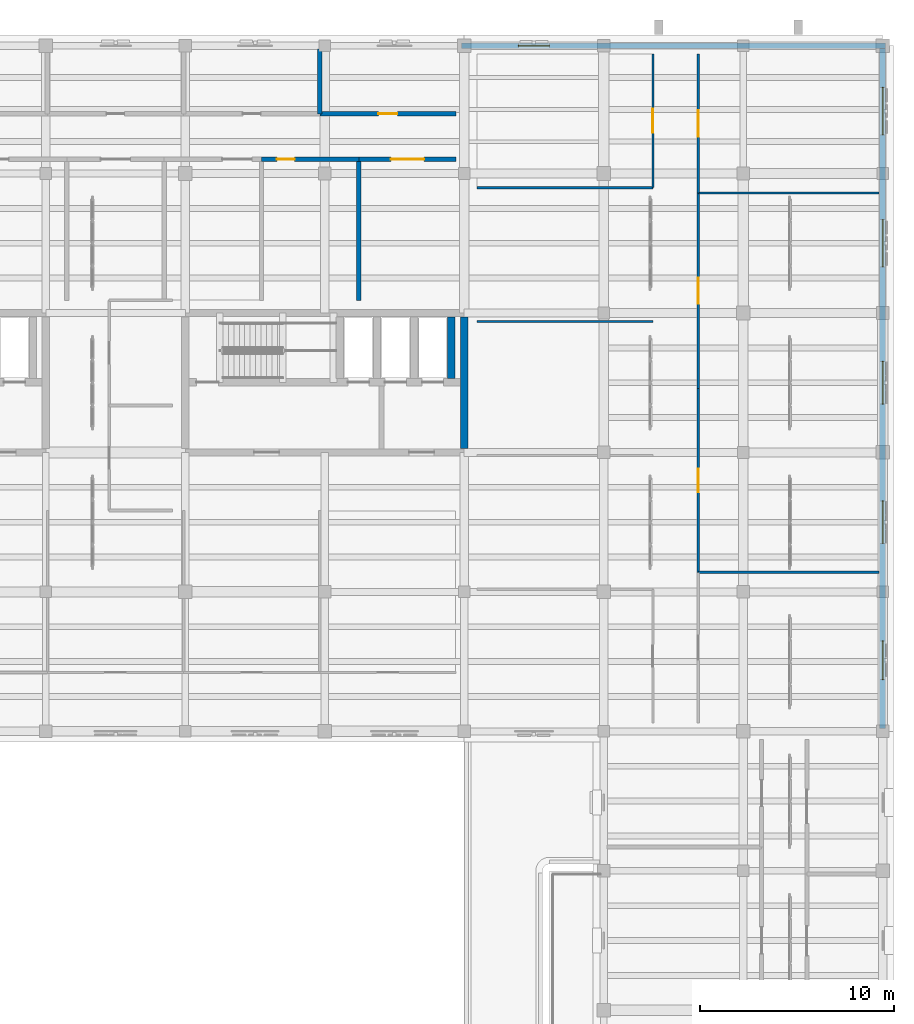
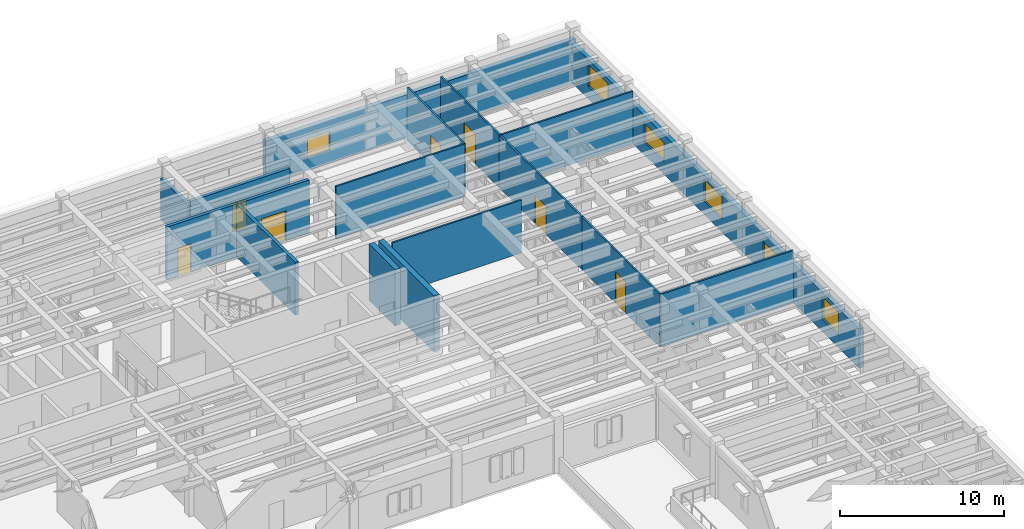
# One storey, part 29 of 40: 17 walls, 7 doors, 6 windows, 13 openings.
"""IFC4 building model written with IfcOpenShell, lengths in metres."""

from ifc_helpers import new_model, si_unit, direction, frame, frame_2d, origin, place, context, subcontext, project, spatial, rectangle, extrude, material, layer, layer_set, type_object, element, fill, save


model = new_model("IFC4")

# Units and contexts
model_context = context("Model", 3, precision=1e-05, world=origin(), true_north=direction((0.0, 1.0)))
body_context = subcontext(model_context, "Body", "Model", "MODEL_VIEW")
ifc_project = project(units=[si_unit("LENGTHUNIT", "METRE"), si_unit("AREAUNIT", "SQUARE_METRE"), si_unit("VOLUMEUNIT", "CUBIC_METRE"), si_unit("PLANEANGLEUNIT", "RADIAN"), si_unit("MASSUNIT", "GRAM", prefix="KILO")], contexts=[model_context])

# Site, building, storey
site_placement = place(None, origin())
site = spatial("IfcSite", under=ifc_project, at=site_placement, CompositionType="ELEMENT")
building_placement = place(site_placement, origin())
building = spatial("IfcBuilding", under=site, at=building_placement, Name="Mithqara Police Headquarters", CompositionType="ELEMENT")
storey_placement = place(building_placement, frame((0.0, 0.0, 13.800048828125)))
storey = spatial("IfcBuildingStorey", under=building, at=storey_placement, Name="L03", CompositionType="ELEMENT", Elevation=13.800048828125)

# Wall, openings, windows
ifc_material_1 = material(Name="Ochre masonry cavity wall, 35 MPa", Category="masonry")
ifc_layer_1 = layer(ifc_material_1, 0.300048828125, Name="Ochre masonry cavity wall, 35 MPa")
ifc_layer_set_1 = layer_set([ifc_layer_1], Name="Ochre masonry cavity wall, 35 MPa")
wall_type_1 = type_object("IfcWallType", Name="EXT WALL OCHRE BRICK300", PredefinedType="SOLIDWALL", material=ifc_layer_set_1)
wall_1_placement = place(storey_placement, frame((166.199951171875, 78.75, 0.0), z_axis=(0.0, 0.0, 1.0), x_axis=(0.0, 1.0, 0.0)))
wall_1 = element("IfcWall", 1, at=wall_1_placement, inside=storey, type_object=wall_type_1, Name="L03 Exterior Wall 11.1", PredefinedType="SOLIDWALL", context=body_context, shape_type="SweptSolid", body=[
    extrude(rectangle(XDim=35.10009765625, YDim=0.300048828125, at=frame_2d((17.550048828125, 0.0))), origin(), (0.0, 0.0, 1.0), 2.93994140625),
])
opening_1_placement = place(wall_1_placement, frame((2.52490234375, 0.0, 0.949951171875)))
opening_1 = element("IfcOpeningElement", 2, at=opening_1_placement, cuts=wall_1, Name="Opening W-37", PredefinedType="OPENING", context=body_context, shape_type="SweptSolid", body=[
    extrude(rectangle(XDim=2.0, YDim=1.64990234375, at=frame_2d((1.0, 0.824951171875))), frame((0.0, 0.16015625, 0.0), z_axis=(0.0, -1.0, 0.0), x_axis=(1.0, 0.0, 0.0)), (0.0, 0.0, 1.0), 0.320068359375),
])
opening_2_placement = place(wall_1_placement, frame((9.550048828125, 0.0, 0.949951171875)))
opening_2 = element("IfcOpeningElement", 3, at=opening_2_placement, cuts=wall_1, Name="Opening W-41", PredefinedType="OPENING", context=body_context, shape_type="SweptSolid", body=[
    extrude(rectangle(XDim=2.199951171875, YDim=1.39990234375, at=frame_2d((1.10009765625, 0.699951171875))), frame((0.0, 0.16015625, 0.0), z_axis=(0.0, -1.0, 0.0), x_axis=(1.0, 0.0, 0.0)), (0.0, 0.0, 1.0), 0.320068359375),
])
opening_3_placement = place(wall_1_placement, frame((16.75, 0.0, 0.949951171875)))
opening_3 = element("IfcOpeningElement", 4, at=opening_3_placement, cuts=wall_1, Name="Opening W-42", PredefinedType="OPENING", context=body_context, shape_type="SweptSolid", body=[
    extrude(rectangle(XDim=2.199951171875, YDim=1.64990234375, at=frame_2d((1.10009765625, 0.824951171875))), frame((0.0, 0.16015625, 0.0), z_axis=(0.0, -1.0, 0.0), x_axis=(1.0, 0.0, 0.0)), (0.0, 0.0, 1.0), 0.320068359375),
])
opening_4_placement = place(wall_1_placement, frame((23.824951171875, 0.0, 0.949951171875)))
opening_4 = element("IfcOpeningElement", 5, at=opening_4_placement, cuts=wall_1, Name="Opening W-46", PredefinedType="OPENING", context=body_context, shape_type="SweptSolid", body=[
    extrude(rectangle(XDim=2.449951171875, YDim=1.39990234375, at=frame_2d((1.22509765625, 0.699951171875))), frame((0.0, 0.16015625, 0.0), z_axis=(0.0, -1.0, 0.0), x_axis=(1.0, 0.0, 0.0)), (0.0, 0.0, 1.0), 0.320068359375),
])
opening_5_placement = place(wall_1_placement, frame((30.64990234375, 0.0, 0.949951171875)))
opening_5 = element("IfcOpeningElement", 6, at=opening_5_placement, cuts=wall_1, Name="Opening W-47", PredefinedType="OPENING", context=body_context, shape_type="SweptSolid", body=[
    extrude(rectangle(XDim=2.449951171875, YDim=1.64990234375, at=frame_2d((1.22509765625, 0.824951171875))), frame((0.0, 0.16015625, 0.0), z_axis=(0.0, -1.0, 0.0), x_axis=(1.0, 0.0, 0.0)), (0.0, 0.0, 1.0), 0.320068359375),
])
ifc_material_2 = material(Name="Spectrally selective double low-e glass", Category="glass")
window_type_1 = type_object("IfcWindowType", Name="WINDOW 2000X1650", PartitioningType="DOUBLE_PANEL_VERTICAL", PredefinedType="WINDOW", material=ifc_material_2)
window_1_placement = place(opening_1_placement, origin())
window_1 = element("IfcWindow", 7, at=window_1_placement, inside=storey, type_object=window_type_1, Name="L03 Command Block Screened Window 11.1", OverallHeight=1.64990234375, OverallWidth=2.0, PartitioningType="SINGLE_PANEL", PredefinedType="WINDOW", context=body_context, shape_type="SweptSolid", body=[
    extrude(rectangle(XDim=2.0, YDim=1.64990234375, at=frame_2d((1.0, 0.824951171875))), frame((0.0, 0.030029296875, 0.0), z_axis=(0.0, -1.0, 0.0), x_axis=(1.0, 0.0, 0.0)), (0.0, 0.0, 1.0), 0.06005859375),
])
fill(opening_1, window_1)
window_type_2 = type_object("IfcWindowType", Name="WINDOW 2200X1400", PartitioningType="DOUBLE_PANEL_VERTICAL", PredefinedType="WINDOW", material=ifc_material_2)
window_2_placement = place(opening_2_placement, origin())
window_2 = element("IfcWindow", 8, at=window_2_placement, inside=storey, type_object=window_type_2, Name="L03 Command Block Screened Window 11.2", OverallHeight=1.39990234375, OverallWidth=2.199951171875, PartitioningType="SINGLE_PANEL", PredefinedType="WINDOW", context=body_context, shape_type="SweptSolid", body=[
    extrude(rectangle(XDim=2.199951171875, YDim=1.39990234375, at=frame_2d((1.10009765625, 0.699951171875))), frame((0.0, 0.030029296875, 0.0), z_axis=(0.0, -1.0, 0.0), x_axis=(1.0, 0.0, 0.0)), (0.0, 0.0, 1.0), 0.06005859375),
])
fill(opening_2, window_2)
window_type_3 = type_object("IfcWindowType", Name="WINDOW 2200X1650", PartitioningType="DOUBLE_PANEL_VERTICAL", PredefinedType="WINDOW", material=ifc_material_2)
window_3_placement = place(opening_3_placement, origin())
window_3 = element("IfcWindow", 9, at=window_3_placement, inside=storey, type_object=window_type_3, Name="L03 Command Block Screened Window 11.3", OverallHeight=1.64990234375, OverallWidth=2.199951171875, PartitioningType="SINGLE_PANEL", PredefinedType="WINDOW", context=body_context, shape_type="SweptSolid", body=[
    extrude(rectangle(XDim=2.199951171875, YDim=1.64990234375, at=frame_2d((1.10009765625, 0.824951171875))), frame((0.0, 0.030029296875, 0.0), z_axis=(0.0, -1.0, 0.0), x_axis=(1.0, 0.0, 0.0)), (0.0, 0.0, 1.0), 0.06005859375),
])
fill(opening_3, window_3)
window_type_4 = type_object("IfcWindowType", Name="WINDOW 2450X1400", PartitioningType="DOUBLE_PANEL_VERTICAL", PredefinedType="WINDOW", material=ifc_material_2)
window_4_placement = place(opening_4_placement, origin())
window_4 = element("IfcWindow", 10, at=window_4_placement, inside=storey, type_object=window_type_4, Name="L03 Command Block Screened Window 11.4", OverallHeight=1.39990234375, OverallWidth=2.449951171875, PartitioningType="SINGLE_PANEL", PredefinedType="WINDOW", context=body_context, shape_type="SweptSolid", body=[
    extrude(rectangle(XDim=2.449951171875, YDim=1.39990234375, at=frame_2d((1.22509765625, 0.699951171875))), frame((0.0, 0.030029296875, 0.0), z_axis=(0.0, -1.0, 0.0), x_axis=(1.0, 0.0, 0.0)), (0.0, 0.0, 1.0), 0.06005859375),
])
fill(opening_4, window_4)
window_type_5 = type_object("IfcWindowType", Name="WINDOW 2450X1650", PartitioningType="DOUBLE_PANEL_VERTICAL", PredefinedType="WINDOW", material=ifc_material_2)
window_5_placement = place(opening_5_placement, origin())
window_5 = element("IfcWindow", 11, at=window_5_placement, inside=storey, type_object=window_type_5, Name="L03 Command Block Screened Window 11.5", OverallHeight=1.64990234375, OverallWidth=2.449951171875, PartitioningType="SINGLE_PANEL", PredefinedType="WINDOW", context=body_context, shape_type="SweptSolid", body=[
    extrude(rectangle(XDim=2.449951171875, YDim=1.64990234375, at=frame_2d((1.22509765625, 0.824951171875))), frame((0.0, 0.030029296875, 0.0), z_axis=(0.0, -1.0, 0.0), x_axis=(1.0, 0.0, 0.0)), (0.0, 0.0, 1.0), 0.06005859375),
])
fill(opening_5, window_5)

# Wall, opening, window
wall_2_placement = place(storey_placement, frame((166.35009765625, 114.0, 0.0), z_axis=(0.0, 0.0, 1.0), x_axis=(-1.0, 0.0, 0.0)))
wall_2 = element("IfcWall", 12, at=wall_2_placement, inside=storey, type_object=wall_type_1, Name="L03 Exterior Wall 12.1", PredefinedType="SOLIDWALL", context=body_context, shape_type="SweptSolid", body=[
    extrude(rectangle(XDim=21.900146484375, YDim=0.300048828125, at=frame_2d((10.9501953125, 0.0))), origin(), (0.0, 0.0, 1.0), 3.18994140625),
])
opening_6_placement = place(wall_2_placement, frame((17.35009765625, 0.0, 0.949951171875)))
opening_6 = element("IfcOpeningElement", 13, at=opening_6_placement, cuts=wall_2, Name="Opening W-26", PredefinedType="OPENING", context=body_context, shape_type="SweptSolid", body=[
    extrude(rectangle(XDim=1.60009765625, YDim=1.39990234375, at=frame_2d((0.800048828125, 0.699951171875))), frame((0.0, 0.16015625, 0.0), z_axis=(0.0, -1.0, 0.0), x_axis=(1.0, 0.0, 0.0)), (0.0, 0.0, 1.0), 0.320068359375),
])
window_type_6 = type_object("IfcWindowType", Name="WINDOW 1600X1400", PartitioningType="SINGLE_PANEL", PredefinedType="WINDOW", material=ifc_material_2)
window_6_placement = place(opening_6_placement, origin())
window_6 = element("IfcWindow", 14, at=window_6_placement, inside=storey, type_object=window_type_6, Name="L03 Command Block Screened Window 12.1", OverallHeight=1.39990234375, OverallWidth=1.60009765625, PartitioningType="SINGLE_PANEL", PredefinedType="WINDOW", context=body_context, shape_type="SweptSolid", body=[
    extrude(rectangle(XDim=1.60009765625, YDim=1.39990234375, at=frame_2d((0.800048828125, 0.699951171875))), frame((0.0, 0.030029296875, 0.0), z_axis=(0.0, -1.0, 0.0), x_axis=(1.0, 0.0, 0.0)), (0.0, 0.0, 1.0), 0.06005859375),
])
fill(opening_6, window_6)

# Walls
ifc_material_3 = material(Name="Gypsum acoustic stud partition", Category="gypsum")
ifc_layer_2 = layer(ifc_material_3, 0.1201171875, Name="Gypsum acoustic stud partition")
ifc_layer_set_2 = layer_set([ifc_layer_2], Name="Gypsum acoustic stud partition")
wall_type_2 = type_object("IfcWallType", Name="PART WALL 120", PredefinedType="PARTITIONING", material=ifc_layer_set_2)
for number, where, z_axis, x_axis, name in (
    (15, (145.25, 99.756103515625, 0.0), (0.0, 0.0, 1.0), (1.0, 0.0, 0.0), "L03 Room Partition Academy Instruction Office"),
    (16, (145.25, 106.66796875, 0.0), (0.0, 0.0, 1.0), (1.0, 0.0, 0.0), "L03 Room Partition Academy Instruction Office"),
):
    element("IfcWall", number, at=place(storey_placement, frame(where, z_axis=z_axis, x_axis=x_axis)), inside=storey, type_object=wall_type_2, Name=name, PredefinedType="PARTITIONING", context=body_context, shape_type="SweptSolid", body=[
        extrude(rectangle(XDim=9.094970703125, YDim=0.1201171875, at=frame_2d((4.54736328125, 0.0))), origin(), (0.0, 0.0, 1.0), 3.93994140625),
    ])

# Wall, opening, door
wall_3_placement = place(storey_placement, frame((154.344970703125, 106.66796875, 0.0), z_axis=(0.0, 0.0, 1.0), x_axis=(0.0, 1.0, 0.0)))
wall_3 = element("IfcWall", 17, at=wall_3_placement, inside=storey, type_object=wall_type_2, Name="L03 Corridor Wall Accessible WC", PredefinedType="PARTITIONING", context=body_context, shape_type="SweptSolid", body=[
    extrude(rectangle(XDim=6.912109375, YDim=0.1201171875, at=frame_2d((3.4560546875, 0.0))), origin(), (0.0, 0.0, 1.0), 3.93994140625),
])
opening_7_placement = place(wall_3_placement, frame((2.845947265625, 0.0, 0.0)))
opening_7 = element("IfcOpeningElement", 18, at=opening_7_placement, cuts=wall_3, Name="Opening D-13", PredefinedType="OPENING", context=body_context, shape_type="SweptSolid", body=[
    extrude(rectangle(XDim=1.219970703125, YDim=2.10009765625, at=frame_2d((0.60986328125, 1.050048828125))), frame((0.0, 0.070068359375, 0.0), z_axis=(0.0, -1.0, 0.0), x_axis=(1.0, 0.0, 0.0)), (0.0, 0.0, 1.0), 0.14013671875),
])
ifc_material_4 = material(Name="Acoustic solid-core timber leaf", Category="wood")
door_type_1 = type_object("IfcDoorType", Name="INT DOOR 1220X2100", OperationType="NOTDEFINED", PredefinedType="DOOR", material=ifc_material_4)
door_1_placement = place(opening_7_placement, frame((1.219970703125, 0.0, 0.0), z_axis=(0.0, 0.0, 1.0), x_axis=(-1.0, 0.0, 0.0)))
door_1 = element("IfcDoor", 19, at=door_1_placement, inside=storey, type_object=door_type_1, Name="Accessible WC Entry Door", OperationType="SINGLE_SWING_RIGHT", OverallHeight=2.10009765625, OverallWidth=1.219970703125, PredefinedType="DOOR", context=body_context, shape_type="SweptSolid", body=[
    extrude(rectangle(XDim=1.219970703125, YDim=2.10009765625, at=frame_2d((0.60986328125, 1.050048828125))), frame((0.0, 0.02490234375, 0.0), z_axis=(0.0, -1.0, 0.0), x_axis=(1.0, 0.0, 0.0)), (0.0, 0.0, 1.0), 0.050048828125),
])
fill(opening_7, door_1)

# Wall
wall_4_placement = place(storey_placement, frame((156.68505859375, 86.81005859375, 0.0), z_axis=(0.0, 0.0, 1.0), x_axis=(1.0, 0.0, 0.0)))
element("IfcWall", 20, at=wall_4_placement, inside=storey, type_object=wall_type_2, Name="L03 Room Partition Academy Instruction Office", PredefinedType="PARTITIONING", context=body_context, shape_type="SweptSolid", body=[
    extrude(rectangle(XDim=9.3349609375, YDim=0.1201171875, at=frame_2d((4.66748046875, 0.0))), origin(), (0.0, 0.0, 1.0), 3.93994140625),
])

# Wall, opening, door
wall_5_placement = place(storey_placement, frame((156.68505859375, 86.81005859375, 0.0), z_axis=(0.0, 0.0, 1.0), x_axis=(0.0, 1.0, 0.0)))
wall_5 = element("IfcWall", 21, at=wall_5_placement, inside=storey, type_object=wall_type_2, Name="L03 Corridor Wall Examinations Room", PredefinedType="PARTITIONING", context=body_context, shape_type="SweptSolid", body=[
    extrude(rectangle(XDim=9.489990234375, YDim=0.1201171875, at=frame_2d((4.7451171875, 0.0))), origin(), (0.0, 0.0, 1.0), 3.93994140625),
])
opening_8_placement = place(wall_5_placement, frame((4.135009765625, 0.0, 0.0)))
opening_8 = element("IfcOpeningElement", 22, at=opening_8_placement, cuts=wall_5, Name="Opening D-15", PredefinedType="OPENING", context=body_context, shape_type="SweptSolid", body=[
    extrude(rectangle(XDim=1.219970703125, YDim=2.35009765625, at=frame_2d((0.60986328125, 1.175048828125))), frame((0.0, 0.070068359375, 0.0), z_axis=(0.0, -1.0, 0.0), x_axis=(1.0, 0.0, 0.0)), (0.0, 0.0, 1.0), 0.14013671875),
])
door_type_2 = type_object("IfcDoorType", Name="INT DOOR 1220X2350", OperationType="NOTDEFINED", PredefinedType="DOOR", material=ifc_material_4)
door_2_placement = place(opening_8_placement, origin())
door_2 = element("IfcDoor", 23, at=door_2_placement, inside=storey, type_object=door_type_2, Name="Examinations Room Entry Door", OperationType="SINGLE_SWING_RIGHT", OverallHeight=2.35009765625, OverallWidth=1.219970703125, PredefinedType="DOOR", context=body_context, shape_type="SweptSolid", body=[
    extrude(rectangle(XDim=1.219970703125, YDim=2.35009765625, at=frame_2d((0.60986328125, 1.175048828125))), frame((0.0, 0.02490234375, 0.0), z_axis=(0.0, -1.0, 0.0), x_axis=(1.0, 0.0, 0.0)), (0.0, 0.0, 1.0), 0.050048828125),
])
fill(opening_8, door_2)

wall_6_placement = place(storey_placement, frame((156.68505859375, 96.300048828125, 0.0), z_axis=(0.0, 0.0, 1.0), x_axis=(0.0, 1.0, 0.0)))
wall_6 = element("IfcWall", 24, at=wall_6_placement, inside=storey, type_object=wall_type_2, Name="L03 Corridor Wall Male Staff WC", PredefinedType="PARTITIONING", context=body_context, shape_type="SweptSolid", body=[
    extrude(rectangle(XDim=10.08984375, YDim=0.1201171875, at=frame_2d((5.044921875, 0.0))), origin(), (0.0, 0.0, 1.0), 3.93994140625),
])
opening_9_placement = place(wall_6_placement, frame((4.364990234375, 0.0, 0.0)))
opening_9 = element("IfcOpeningElement", 25, at=opening_9_placement, cuts=wall_6, Name="Opening D-16", PredefinedType="OPENING", context=body_context, shape_type="SweptSolid", body=[
    extrude(rectangle(XDim=1.360107421875, YDim=2.10009765625, at=frame_2d((0.68017578125, 1.050048828125))), frame((0.0, 0.070068359375, 0.0), z_axis=(0.0, -1.0, 0.0), x_axis=(1.0, 0.0, 0.0)), (0.0, 0.0, 1.0), 0.14013671875),
])
ifc_material_5 = material(Name="Bronze anodised aluminium 6063-T6", Category="aluminium")
door_type_3 = type_object("IfcDoorType", Name="INT DOOR 1360X2100", OperationType="NOTDEFINED", PredefinedType="DOOR", material=ifc_material_5)
door_3_placement = place(opening_9_placement, origin())
door_3 = element("IfcDoor", 26, at=door_3_placement, inside=storey, type_object=door_type_3, Name="Male Staff WC Entry Door", OperationType="SINGLE_SWING_LEFT", OverallHeight=2.10009765625, OverallWidth=1.360107421875, PredefinedType="DOOR", context=body_context, shape_type="SweptSolid", body=[
    extrude(rectangle(XDim=1.360107421875, YDim=2.10009765625, at=frame_2d((0.68017578125, 1.050048828125))), frame((0.0, 0.02490234375, 0.0), z_axis=(0.0, -1.0, 0.0), x_axis=(1.0, 0.0, 0.0)), (0.0, 0.0, 1.0), 0.050048828125),
])
fill(opening_9, door_3)

# Wall
wall_7_placement = place(storey_placement, frame((156.68505859375, 106.389892578125, 0.0), z_axis=(0.0, 0.0, 1.0), x_axis=(1.0, 0.0, 0.0)))
element("IfcWall", 27, at=wall_7_placement, inside=storey, type_object=wall_type_2, Name="L03 Room Partition Male Staff WC", PredefinedType="PARTITIONING", context=body_context, shape_type="SweptSolid", body=[
    extrude(rectangle(XDim=9.3349609375, YDim=0.1201171875, at=frame_2d((4.66748046875, 0.0))), origin(), (0.0, 0.0, 1.0), 3.93994140625),
])

# Wall, opening, door
wall_8_placement = place(storey_placement, frame((156.68505859375, 106.389892578125, 0.0), z_axis=(0.0, 0.0, 1.0), x_axis=(0.0, 1.0, 0.0)))
wall_8 = element("IfcWall", 28, at=wall_8_placement, inside=storey, type_object=wall_type_2, Name="L03 Corridor Wall Female Staff WC", PredefinedType="PARTITIONING", context=body_context, shape_type="SweptSolid", body=[
    extrude(rectangle(XDim=7.190185546875, YDim=0.1201171875, at=frame_2d((3.59521484375, 0.0))), origin(), (0.0, 0.0, 1.0), 3.93994140625),
])
opening_10_placement = place(wall_8_placement, frame((2.9150390625, 0.0, 0.0)))
opening_10 = element("IfcOpeningElement", 29, at=opening_10_placement, cuts=wall_8, Name="Opening D-17", PredefinedType="OPENING", context=body_context, shape_type="SweptSolid", body=[
    extrude(rectangle(XDim=1.360107421875, YDim=2.219970703125, at=frame_2d((0.68017578125, 1.10986328125))), frame((0.0, 0.070068359375, 0.0), z_axis=(0.0, -1.0, 0.0), x_axis=(1.0, 0.0, 0.0)), (0.0, 0.0, 1.0), 0.14013671875),
])
door_type_4 = type_object("IfcDoorType", Name="INT DOOR 1360X2220", OperationType="NOTDEFINED", PredefinedType="DOOR", material=ifc_material_5)
door_4_placement = place(opening_10_placement, origin())
door_4 = element("IfcDoor", 30, at=door_4_placement, inside=storey, type_object=door_type_4, Name="Female Staff WC Entry Door", OperationType="SINGLE_SWING_RIGHT", OverallHeight=2.219970703125, OverallWidth=1.360107421875, PredefinedType="DOOR", context=body_context, shape_type="SweptSolid", body=[
    extrude(rectangle(XDim=1.360107421875, YDim=2.219970703125, at=frame_2d((0.68017578125, 1.10986328125))), frame((0.0, 0.02490234375, 0.0), z_axis=(0.0, -1.0, 0.0), x_axis=(1.0, 0.0, 0.0)), (0.0, 0.0, 1.0), 0.050048828125),
])
fill(opening_10, door_4)

ifc_material_6 = material(Name="Concrete C40/50", Category="concrete")
ifc_layer_3 = layer(ifc_material_6, 0.22998046875, Name="Concrete C40/50")
ifc_layer_set_3 = layer_set([ifc_layer_3], Name="Concrete C40/50")
wall_type_3 = type_object("IfcWallType", Name="PART WALL 230", PredefinedType="PARTITIONING", material=ifc_layer_set_3)
wall_9_placement = place(storey_placement, frame((134.134033203125, 108.139892578125, 0.0), z_axis=(0.0, 0.0, 1.0), x_axis=(1.0, 0.0, 0.0)))
wall_9 = element("IfcWall", 31, at=wall_9_placement, inside=storey, type_object=wall_type_3, Name="L03 Corridor Wall Judicial Liaison Suite", PredefinedType="PARTITIONING", context=body_context, shape_type="SweptSolid", body=[
    extrude(rectangle(XDim=5.02294921875, YDim=0.22998046875, at=frame_2d((2.511474609375, 0.0))), origin(), (0.0, 0.0, 1.0), 3.93994140625),
])
opening_11_placement = place(wall_9_placement, frame((0.7958984375, 0.0, 0.0)))
opening_11 = element("IfcOpeningElement", 32, at=opening_11_placement, cuts=wall_9, Name="Opening D-01", PredefinedType="OPENING", context=body_context, shape_type="SweptSolid", body=[
    extrude(rectangle(XDim=0.919921875, YDim=2.10009765625, at=frame_2d((0.4599609375, 1.050048828125))), frame((0.0, 0.125, 0.0), z_axis=(0.0, -1.0, 0.0), x_axis=(1.0, 0.0, 0.0)), (0.0, 0.0, 1.0), 0.25),
])
door_type_5 = type_object("IfcDoorType", Name="INT DOOR 920X2100", OperationType="NOTDEFINED", PredefinedType="DOOR", material=ifc_material_4)
door_5_placement = place(opening_11_placement, frame((0.919921875, 0.0, 0.0), z_axis=(0.0, 0.0, 1.0), x_axis=(-1.0, 0.0, 0.0)))
door_5 = element("IfcDoor", 33, at=door_5_placement, inside=storey, type_object=door_type_5, Name="Judicial Liaison Suite Entry Door", OperationType="SINGLE_SWING_LEFT", OverallHeight=2.10009765625, OverallWidth=0.919921875, PredefinedType="DOOR", context=body_context, shape_type="SweptSolid", body=[
    extrude(rectangle(XDim=0.919921875, YDim=2.10009765625, at=frame_2d((0.4599609375, 1.050048828125))), frame((0.0, 0.02490234375, 0.0), z_axis=(0.0, -1.0, 0.0), x_axis=(1.0, 0.0, 0.0)), (0.0, 0.0, 1.0), 0.050048828125),
])
fill(opening_11, door_5)

# Wall
wall_10_placement = place(storey_placement, frame((139.156982421875, 100.85009765625, 0.0), z_axis=(0.0, 0.0, 1.0), x_axis=(0.0, 1.0, 0.0)))
element("IfcWall", 34, at=wall_10_placement, inside=storey, type_object=wall_type_3, Name="L03 Room Partition Judicial Liaison Suite", PredefinedType="PARTITIONING", context=body_context, shape_type="SweptSolid", body=[
    extrude(rectangle(XDim=7.289794921875, YDim=0.22998046875, at=frame_2d((3.64501953125, 0.0))), origin(), (0.0, 0.0, 1.0), 3.93994140625),
])

# Wall, opening, door
wall_11_placement = place(storey_placement, frame((139.156982421875, 108.139892578125, 0.0), z_axis=(0.0, 0.0, 1.0), x_axis=(1.0, 0.0, 0.0)))
wall_11 = element("IfcWall", 35, at=wall_11_placement, inside=storey, type_object=wall_type_3, Name="L03 Corridor Wall Briefing Room", PredefinedType="PARTITIONING", context=body_context, shape_type="SweptSolid", body=[
    extrude(rectangle(XDim=5.02294921875, YDim=0.22998046875, at=frame_2d((2.511474609375, 0.0))), origin(), (0.0, 0.0, 1.0), 3.93994140625),
])
opening_12_placement = place(wall_11_placement, frame((1.651611328125, 0.0, 0.0)))
opening_12 = element("IfcOpeningElement", 36, at=opening_12_placement, cuts=wall_11, Name="Opening D-23", PredefinedType="OPENING", context=body_context, shape_type="SweptSolid", body=[
    extrude(rectangle(XDim=1.719970703125, YDim=2.219970703125, at=frame_2d((0.85986328125, 1.10986328125))), frame((0.0, 0.125, 0.0), z_axis=(0.0, -1.0, 0.0), x_axis=(1.0, 0.0, 0.0)), (0.0, 0.0, 1.0), 0.25),
])
door_type_6 = type_object("IfcDoorType", Name="INT DOOR 1720X2220", OperationType="NOTDEFINED", PredefinedType="DOOR", material=ifc_material_5)
door_6_placement = place(opening_12_placement, frame((1.719970703125, 0.0, 0.0), z_axis=(0.0, 0.0, 1.0), x_axis=(-1.0, 0.0, 0.0)))
door_6 = element("IfcDoor", 37, at=door_6_placement, inside=storey, type_object=door_type_6, Name="Briefing Room Entry Door", OperationType="DOUBLE_DOOR_SINGLE_SWING", OverallHeight=2.219970703125, OverallWidth=1.719970703125, PredefinedType="DOOR", context=body_context, shape_type="SweptSolid", body=[
    extrude(rectangle(XDim=1.719970703125, YDim=2.219970703125, at=frame_2d((0.85986328125, 1.10986328125))), frame((0.0, 0.02490234375, 0.0), z_axis=(0.0, -1.0, 0.0), x_axis=(1.0, 0.0, 0.0)), (0.0, 0.0, 1.0), 0.050048828125),
])
fill(opening_12, door_6)

# Wall
wall_12_placement = place(storey_placement, frame((137.14794921875, 110.47998046875, 0.0), z_axis=(0.0, 0.0, 1.0), x_axis=(0.0, 1.0, 0.0)))
element("IfcWall", 38, at=wall_12_placement, inside=storey, type_object=wall_type_3, Name="L03 Room Partition Briefing Room", PredefinedType="PARTITIONING", context=body_context, shape_type="SweptSolid", body=[
    extrude(rectangle(XDim=3.340087890625, YDim=0.22998046875, at=frame_2d((1.669921875, 0.0))), origin(), (0.0, 0.0, 1.0), 3.08984375),
])

# Wall, opening, door
wall_13_placement = place(storey_placement, frame((137.14794921875, 110.47998046875, 0.0), z_axis=(0.0, 0.0, 1.0), x_axis=(1.0, 0.0, 0.0)))
wall_13 = element("IfcWall", 39, at=wall_13_placement, inside=storey, type_object=wall_type_3, Name="L03 Corridor Wall Criminal Records Verification Room", PredefinedType="PARTITIONING", context=body_context, shape_type="SweptSolid", body=[
    extrude(rectangle(XDim=7.031982421875, YDim=0.22998046875, at=frame_2d((3.51611328125, 0.0))), origin(), (0.0, 0.0, 1.0), 3.389892578125),
])
opening_13_placement = place(wall_13_placement, frame((3.02587890625, 0.0, 0.0)))
opening_13 = element("IfcOpeningElement", 40, at=opening_13_placement, cuts=wall_13, Name="Opening D-04", PredefinedType="OPENING", context=body_context, shape_type="SweptSolid", body=[
    extrude(rectangle(XDim=0.97998046875, YDim=2.10009765625, at=frame_2d((0.489990234375, 1.050048828125))), frame((0.0, 0.125, 0.0), z_axis=(0.0, -1.0, 0.0), x_axis=(1.0, 0.0, 0.0)), (0.0, 0.0, 1.0), 0.25),
])
door_type_7 = type_object("IfcDoorType", Name="INT DOOR 980X2100", OperationType="NOTDEFINED", PredefinedType="DOOR", material=ifc_material_4)
door_7_placement = place(opening_13_placement, origin())
door_7 = element("IfcDoor", 41, at=door_7_placement, inside=storey, type_object=door_type_7, Name="Criminal Records Verification Room Entry Door", OperationType="SINGLE_SWING_LEFT", OverallHeight=2.10009765625, OverallWidth=0.97998046875, PredefinedType="DOOR", context=body_context, shape_type="SweptSolid", body=[
    extrude(rectangle(XDim=0.97998046875, YDim=2.10009765625, at=frame_2d((0.489990234375, 1.050048828125))), frame((0.0, 0.02490234375, 0.0), z_axis=(0.0, -1.0, 0.0), x_axis=(1.0, 0.0, 0.0)), (0.0, 0.0, 1.0), 0.050048828125),
])
fill(opening_13, door_7)

# Walls
ifc_material_7 = material(Name="Concrete C50/60", Category="concrete")
ifc_layer_4 = layer(ifc_material_7, 0.3798828125, Name="Concrete C50/60")
ifc_layer_set_4 = layer_set([ifc_layer_4], Name="Concrete C50/60")
wall_type_4 = type_object("IfcWallType", Name="SHEAR WALL 380", PredefinedType="SHEAR", material=ifc_layer_set_4)
wall_14_placement = place(storey_placement, frame((144.60009765625, 93.199951171875, 0.0), z_axis=(0.0, 0.0, 1.0), x_axis=(0.0, 1.0, 0.0)))
element("IfcWall", 42, at=wall_14_placement, inside=storey, type_object=wall_type_4, Name="Core C2 Command East Shear Wall E", PredefinedType="SHEAR", context=body_context, shape_type="SweptSolid", body=[
    extrude(rectangle(XDim=6.800048828125, YDim=0.3798828125, at=frame_2d((3.39990234375, 0.0))), origin(), (0.0, 0.0, 1.0), 4.199951171875),
])
wall_15_placement = place(storey_placement, frame((143.93994140625, 96.820068359375, 0.0), z_axis=(0.0, 0.0, 1.0), x_axis=(0.0, 1.0, 0.0)))
element("IfcWall", 43, at=wall_15_placement, inside=storey, type_object=wall_type_4, Name="Core C2 Command East Shear Wall L3", PredefinedType="SHEAR", context=body_context, shape_type="SweptSolid", body=[
    extrude(rectangle(XDim=3.179931640625, YDim=0.3798828125, at=frame_2d((1.58984375, 0.0))), origin(), (0.0, 0.0, 1.0), 4.199951171875),
])

save(model, "model.ifc")
